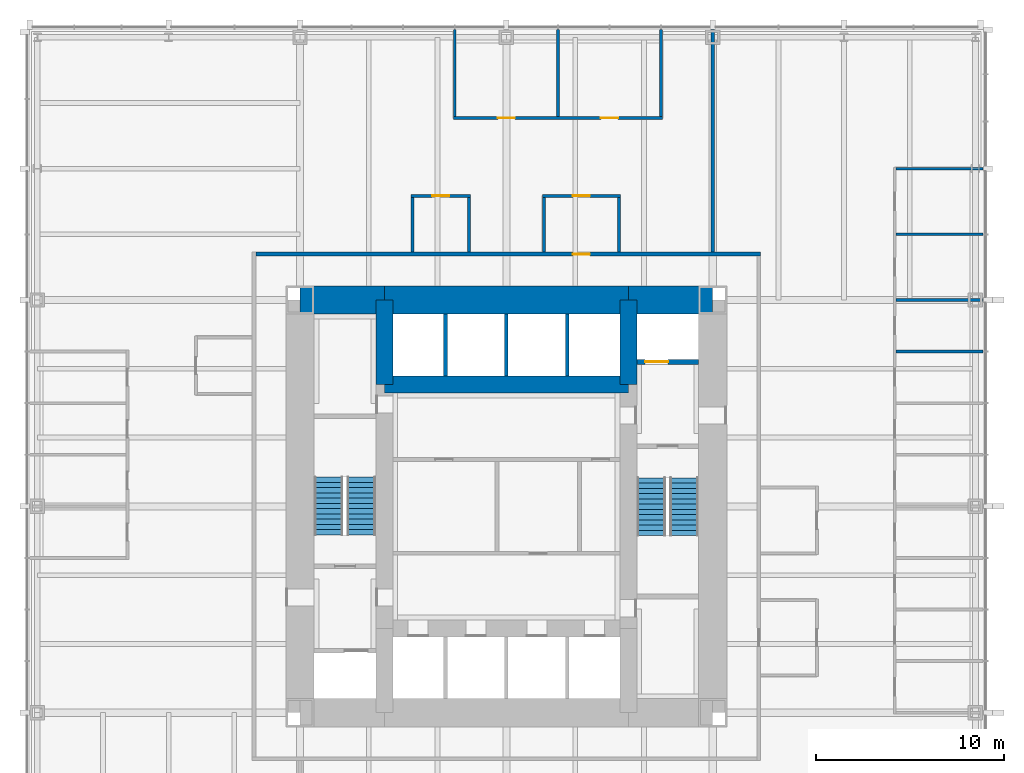
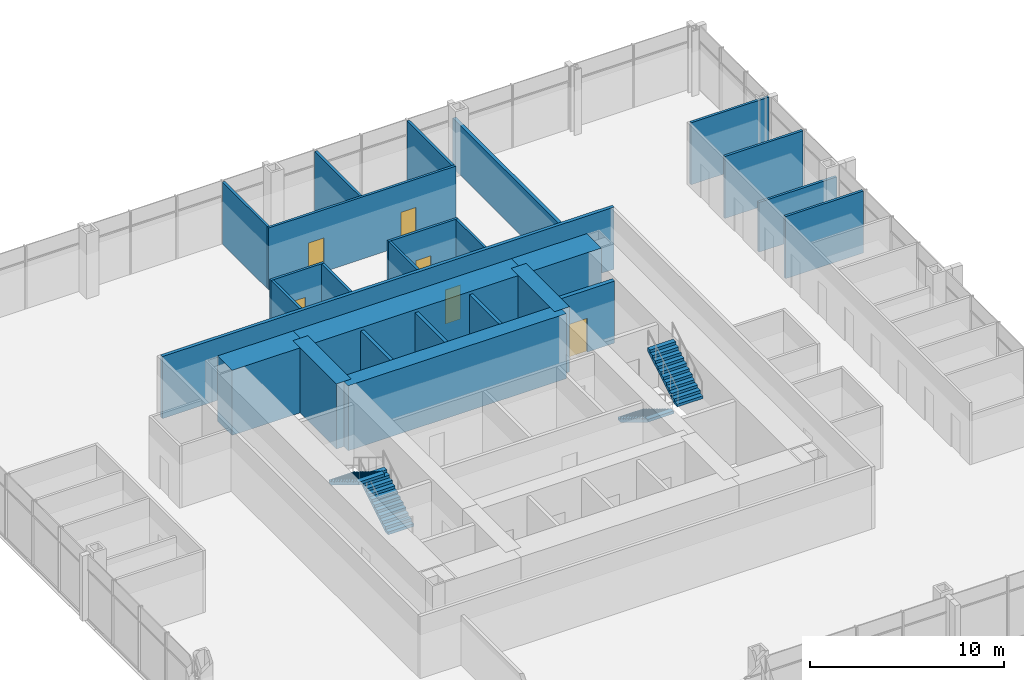
# One storey, part 11 of 12: 26 walls, 6 doors, 4 stair flights, 6 openings, 2 elements without a shape of their own.
"""IFC4 building model written with IfcOpenShell, lengths in metres."""

from ifc_helpers import new_model, si_unit, direction, frame, frame_2d, origin, place, context, subcontext, project, spatial, polyline, rectangle, outline, extrude, material, layer, layer_set, type_object, element, fill, aggregate, save


model = new_model("IFC4")

# Units and contexts
model_context = context("Model", 3, precision=1e-05, world=origin(), true_north=direction((0.0, 1.0)))
body_context = subcontext(model_context, "Body", "Model", "MODEL_VIEW")
ifc_project = project(units=[si_unit("LENGTHUNIT", "METRE"), si_unit("AREAUNIT", "SQUARE_METRE"), si_unit("VOLUMEUNIT", "CUBIC_METRE"), si_unit("PLANEANGLEUNIT", "RADIAN"), si_unit("MASSUNIT", "GRAM", prefix="KILO")], contexts=[model_context])

# Site, building, storey
site_placement = place(None, origin())
site = spatial("IfcSite", under=ifc_project, at=site_placement, CompositionType="ELEMENT")
building_placement = place(site_placement, origin())
building = spatial("IfcBuilding", under=site, at=building_placement, Name="Trevanion Tower", CompositionType="ELEMENT")
storey_placement = place(building_placement, frame((0.0, 0.0, 48.800048828125)))
storey = spatial("IfcBuildingStorey", under=building, at=storey_placement, Name="L11", CompositionType="ELEMENT", Elevation=48.800048828125)

# Walls
ifc_material_1 = material(Name="Concrete 10,000 psi", Category="concrete")
ifc_layer_1 = layer(ifc_material_1, 1.5)
ifc_layer_set_1 = layer_set([ifc_layer_1], Name="CW1 core wall 1500")
wall_type_1 = type_object("IfcWallType", Name="CW1 core wall 1500", PredefinedType="SHEAR", material=ifc_layer_set_1)
wall_1_placement = place(storey_placement, frame((11.0, 11.0, 0.0), z_axis=(0.0, 0.0, 1.0), x_axis=(-1.0, 0.0, 0.0)))
element("IfcWall", 1, at=wall_1_placement, inside=storey, type_object=wall_type_1, Name="CW1 CN1 L11", PredefinedType="SHEAR", context=body_context, shape_type="SweptSolid", body=[
    extrude(rectangle(XDim=4.5, YDim=1.5, at=frame_2d((2.25, 0.0))), origin(), (0.0, 0.0, 1.0), 4.099853515625),
])
wall_2_placement = place(storey_placement, frame((6.5, 11.0, 0.0), z_axis=(0.0, 0.0, 1.0), x_axis=(-1.0, 0.0, 0.0)))
element("IfcWall", 2, at=wall_2_placement, inside=storey, type_object=wall_type_1, Name="CW1 CN2 L11", PredefinedType="SHEAR", context=body_context, shape_type="SweptSolid", body=[
    extrude(rectangle(XDim=13.0, YDim=1.5, at=frame_2d((6.5, 0.0))), origin(), (0.0, 0.0, 1.0), 4.099853515625),
])
wall_3_placement = place(storey_placement, frame((-6.5, 11.0, 0.0), z_axis=(0.0, 0.0, 1.0), x_axis=(-1.0, 0.0, 0.0)))
element("IfcWall", 3, at=wall_3_placement, inside=storey, type_object=wall_type_1, Name="CW1 CN3 L11", PredefinedType="SHEAR", context=body_context, shape_type="SweptSolid", body=[
    extrude(rectangle(XDim=4.5, YDim=1.5, at=frame_2d((2.25, 0.0))), origin(), (0.0, 0.0, 1.0), 4.099853515625),
])
ifc_material_2 = material(Name="Concrete 10,000 psi", Category="concrete")
ifc_layer_2 = layer(ifc_material_2, 0.89990234375)
ifc_layer_set_2 = layer_set([ifc_layer_2], Name="CW2 core wall 900")
wall_type_2 = type_object("IfcWallType", Name="CW2 core wall 900", PredefinedType="SHEAR", material=ifc_layer_set_2)
for number, where, z_axis, x_axis, name in (
    (4, (6.5, 6.5, 0.0), (0.0, 0.0, 1.0), (0.0, 1.0, 0.0), "CW2 RE3 L11"),
    (5, (-6.5, 11.0, 0.0), (0.0, 0.0, 1.0), (0.0, -1.0, 0.0), "CW2 RW1 L11"),
):
    element("IfcWall", number, at=place(storey_placement, frame(where, z_axis=z_axis, x_axis=x_axis)), inside=storey, type_object=wall_type_2, Name=name, PredefinedType="SHEAR", context=body_context, shape_type="SweptSolid", body=[
        extrude(rectangle(XDim=4.5, YDim=0.89990234375, at=frame_2d((2.25, 0.0))), origin(), (0.0, 0.0, 1.0), 4.099853515625),
    ])
wall_4_placement = place(storey_placement, frame((6.5, 6.5, 0.0), z_axis=(0.0, 0.0, 1.0), x_axis=(-1.0, 0.0, 0.0)))
element("IfcWall", 6, at=wall_4_placement, inside=storey, type_object=wall_type_2, Name="CW2 RN L11", PredefinedType="SHEAR", context=body_context, shape_type="SweptSolid", body=[
    extrude(rectangle(XDim=13.0, YDim=0.89990234375, at=frame_2d((6.5, 0.0))), origin(), (0.0, 0.0, 1.0), 4.099853515625),
])
ifc_material_3 = material(Name="Gypsum board on steel studs", Category="steel")
ifc_layer_3 = layer(ifc_material_3, 0.14990234375)
ifc_layer_set_3 = layer_set([ifc_layer_3], Name="PT1 partition 150")
wall_type_3 = type_object("IfcWallType", Name="PT1 partition 150", PredefinedType="PARTITIONING", material=ifc_layer_set_3)
wall_5_placement = place(storey_placement, frame((20.77490234375, 8.25, 0.0), z_axis=(0.0, 0.0, 1.0), x_axis=(1.0, 0.0, 0.0)))
element("IfcWall", 7, at=wall_5_placement, inside=storey, type_object=wall_type_3, Name="PT1 L11 FC0S7", PredefinedType="PARTITIONING", context=body_context, shape_type="SweptSolid", body=[
    extrude(rectangle(XDim=4.64013671875, YDim=0.14990234375, at=frame_2d((2.320068359375, 0.0))), origin(), (0.0, 0.0, 1.0), 3.909912109375),
])
wall_6_placement = place(storey_placement, frame((20.77490234375, 11.0, 0.0), z_axis=(0.0, 0.0, 1.0), x_axis=(1.0, 0.0, 0.0)))
element("IfcWall", 8, at=wall_6_placement, inside=storey, type_object=wall_type_3, Name="PT1 L11 FC0S8", PredefinedType="PARTITIONING", context=body_context, shape_type="SweptSolid", body=[
    extrude(rectangle(XDim=4.64013671875, YDim=0.14990234375, at=frame_2d((2.320068359375, 0.0))), origin(), (0.0, 0.0, 1.0), 3.130126953125),
])
for number, where, z_axis, x_axis, name in (
    (9, (20.77490234375, 14.5, 0.0), (0.0, 0.0, 1.0), (1.0, 0.0, 0.0), "PT1 L11 FC0S9"),
    (10, (20.77490234375, 18.0, 0.0), (0.0, 0.0, 1.0), (1.0, 0.0, 0.0), "PT1 L11 FC0S10"),
):
    element("IfcWall", number, at=place(storey_placement, frame(where, z_axis=z_axis, x_axis=x_axis)), inside=storey, type_object=wall_type_3, Name=name, PredefinedType="PARTITIONING", context=body_context, shape_type="SweptSolid", body=[
        extrude(rectangle(XDim=4.64013671875, YDim=0.14990234375, at=frame_2d((2.320068359375, 0.0))), origin(), (0.0, 0.0, 1.0), 3.909912109375),
    ])

# Wall, openings, doors
wall_7_placement = place(storey_placement, frame((8.324951171875, 20.699951171875, 0.0), z_axis=(0.0, 0.0, 1.0), x_axis=(-1.0, 0.0, 0.0)))
wall_7 = element("IfcWall", 11, at=wall_7_placement, inside=storey, type_object=wall_type_3, Name="PT1 L11 FC1F", PredefinedType="PARTITIONING", context=body_context, shape_type="SweptSolid", body=[
    extrude(rectangle(XDim=11.14990234375, YDim=0.14990234375, at=frame_2d((5.574951171875, 0.0))), origin(), (0.0, 0.0, 1.0), 3.909912109375),
])
opening_1_placement = place(wall_7_placement, frame((2.367431640625, 0.0, 0.0)))
opening_1 = element("IfcOpeningElement", 12, at=opening_1_placement, cuts=wall_7, Name="Opening 11-032", PredefinedType="OPENING", context=body_context, shape_type="SweptSolid", body=[
    extrude(rectangle(XDim=0.9150390625, YDim=2.134033203125, at=frame_2d((0.45751953125, 1.06689453125))), frame((0.0, 0.0849609375, 0.0), z_axis=(0.0, -1.0, 0.0), x_axis=(1.0, 0.0, 0.0)), (0.0, 0.0, 1.0), 0.169921875),
])
opening_2_placement = place(wall_7_placement, frame((7.867431640625, 0.0, 0.0)))
opening_2 = element("IfcOpeningElement", 13, at=opening_2_placement, cuts=wall_7, Name="Opening 11-033", PredefinedType="OPENING", context=body_context, shape_type="SweptSolid", body=[
    extrude(rectangle(XDim=0.9150390625, YDim=2.134033203125, at=frame_2d((0.45751953125, 1.06689453125))), frame((0.0, 0.0849609375, 0.0), z_axis=(0.0, -1.0, 0.0), x_axis=(1.0, 0.0, 0.0)), (0.0, 0.0, 1.0), 0.169921875),
])
ifc_material_4 = material(Name="Timber veneer, solid core", Category="wood")
door_type_1 = type_object("IfcDoorType", Name="D1 office and meeting room door", OperationType="SINGLE_SWING_LEFT", PredefinedType="DOOR", material=ifc_material_4)
door_1_placement = place(opening_1_placement, origin())
door_1 = element("IfcDoor", 14, at=door_1_placement, inside=storey, type_object=door_type_1, Name="Door 11-032", OperationType="SINGLE_SWING_LEFT", OverallHeight=2.134033203125, OverallWidth=0.9150390625, PredefinedType="DOOR", context=body_context, shape_type="SweptSolid", body=[
    extrude(rectangle(XDim=0.9150390625, YDim=2.134033203125, at=frame_2d((0.45751953125, 1.06689453125))), frame((0.0, 0.02490234375, 0.0), z_axis=(0.0, -1.0, 0.0), x_axis=(1.0, 0.0, 0.0)), (0.0, 0.0, 1.0), 0.050048828125),
])
fill(opening_1, door_1)
door_2_placement = place(opening_2_placement, origin())
door_2 = element("IfcDoor", 15, at=door_2_placement, inside=storey, type_object=door_type_1, Name="Door 11-033", OperationType="SINGLE_SWING_LEFT", OverallHeight=2.134033203125, OverallWidth=0.9150390625, PredefinedType="DOOR", context=body_context, shape_type="SweptSolid", body=[
    extrude(rectangle(XDim=0.9150390625, YDim=2.134033203125, at=frame_2d((0.45751953125, 1.06689453125))), frame((0.0, 0.02490234375, 0.0), z_axis=(0.0, -1.0, 0.0), x_axis=(1.0, 0.0, 0.0)), (0.0, 0.0, 1.0), 0.050048828125),
])
fill(opening_2, door_2)

# Walls
for number, where, z_axis, x_axis, name in (
    (16, (8.25, 20.77490234375, 0.0), (0.0, 0.0, 1.0), (0.0, 1.0, 0.0), "PT1 L11 FC1S0"),
    (17, (2.75, 20.77490234375, 0.0), (0.0, 0.0, 1.0), (0.0, 1.0, 0.0), "PT1 L11 FC1S2"),
    (18, (-2.75, 20.77490234375, 0.0), (0.0, 0.0, 1.0), (0.0, 1.0, 0.0), "PT1 L11 FC1S4"),
):
    element("IfcWall", number, at=place(storey_placement, frame(where, z_axis=z_axis, x_axis=x_axis)), inside=storey, type_object=wall_type_3, Name=name, PredefinedType="PARTITIONING", context=body_context, shape_type="SweptSolid", body=[
        extrude(rectangle(XDim=4.64013671875, YDim=0.14990234375, at=frame_2d((2.320068359375, 0.0))), origin(), (0.0, 0.0, 1.0), 3.909912109375),
    ])

# Wall, opening, door
wall_8_placement = place(storey_placement, frame((6.074951171875, 16.550048828125, 0.0), z_axis=(0.0, 0.0, 1.0), x_axis=(-1.0, 0.0, 0.0)))
wall_8 = element("IfcWall", 19, at=wall_8_placement, inside=storey, type_object=wall_type_3, Name="PT1 L11 IN10F", PredefinedType="PARTITIONING", context=body_context, shape_type="SweptSolid", body=[
    extrude(rectangle(XDim=4.14990234375, YDim=0.14990234375, at=frame_2d((2.074951171875, 0.0))), origin(), (0.0, 0.0, 1.0), 3.909912109375),
])
opening_3_placement = place(wall_8_placement, frame((1.617431640625, 0.0, 0.0)))
opening_3 = element("IfcOpeningElement", 20, at=opening_3_placement, cuts=wall_8, Name="Opening 11-037", PredefinedType="OPENING", context=body_context, shape_type="SweptSolid", body=[
    extrude(rectangle(XDim=0.9150390625, YDim=2.134033203125, at=frame_2d((0.45751953125, 1.06689453125))), frame((0.0, 0.0849609375, 0.0), z_axis=(0.0, -1.0, 0.0), x_axis=(1.0, 0.0, 0.0)), (0.0, 0.0, 1.0), 0.169921875),
])
door_3_placement = place(opening_3_placement, origin())
door_3 = element("IfcDoor", 21, at=door_3_placement, inside=storey, type_object=door_type_1, Name="Door 11-037", OperationType="SINGLE_SWING_LEFT", OverallHeight=2.134033203125, OverallWidth=0.9150390625, PredefinedType="DOOR", context=body_context, shape_type="SweptSolid", body=[
    extrude(rectangle(XDim=0.9150390625, YDim=2.134033203125, at=frame_2d((0.45751953125, 1.06689453125))), frame((0.0, 0.02490234375, 0.0), z_axis=(0.0, -1.0, 0.0), x_axis=(1.0, 0.0, 0.0)), (0.0, 0.0, 1.0), 0.050048828125),
])
fill(opening_3, door_3)

# Walls
for number, where, z_axis, x_axis, name in (
    (22, (6.0, 16.47509765625, 0.0), (0.0, 0.0, 1.0), (0.0, -1.0, 0.0), "PT1 L11 IN10S0"),
    (23, (2.0, 16.47509765625, 0.0), (0.0, 0.0, 1.0), (0.0, -1.0, 0.0), "PT1 L11 IN10S1"),
):
    element("IfcWall", number, at=place(storey_placement, frame(where, z_axis=z_axis, x_axis=x_axis)), inside=storey, type_object=wall_type_3, Name=name, PredefinedType="PARTITIONING", context=body_context, shape_type="SweptSolid", body=[
        extrude(rectangle(XDim=2.925048828125, YDim=0.14990234375, at=frame_2d((1.46240234375, 0.0))), origin(), (0.0, 0.0, 1.0), 3.909912109375),
    ])

# Wall, opening, door
wall_9_placement = place(storey_placement, frame((-1.925048828125, 16.550048828125, 0.0), z_axis=(0.0, 0.0, 1.0), x_axis=(-1.0, 0.0, 0.0)))
wall_9 = element("IfcWall", 24, at=wall_9_placement, inside=storey, type_object=wall_type_3, Name="PT1 L11 IN11F", PredefinedType="PARTITIONING", context=body_context, shape_type="SweptSolid", body=[
    extrude(rectangle(XDim=3.14990234375, YDim=0.14990234375, at=frame_2d((1.574951171875, 0.0))), origin(), (0.0, 0.0, 1.0), 3.909912109375),
])
opening_4_placement = place(wall_9_placement, frame((1.117431640625, 0.0, 0.0)))
opening_4 = element("IfcOpeningElement", 25, at=opening_4_placement, cuts=wall_9, Name="Opening 11-039", PredefinedType="OPENING", context=body_context, shape_type="SweptSolid", body=[
    extrude(rectangle(XDim=0.9150390625, YDim=2.134033203125, at=frame_2d((0.45751953125, 1.06689453125))), frame((0.0, 0.0849609375, 0.0), z_axis=(0.0, -1.0, 0.0), x_axis=(1.0, 0.0, 0.0)), (0.0, 0.0, 1.0), 0.169921875),
])
door_4_placement = place(opening_4_placement, origin())
door_4 = element("IfcDoor", 26, at=door_4_placement, inside=storey, type_object=door_type_1, Name="Door 11-039", OperationType="SINGLE_SWING_LEFT", OverallHeight=2.134033203125, OverallWidth=0.9150390625, PredefinedType="DOOR", context=body_context, shape_type="SweptSolid", body=[
    extrude(rectangle(XDim=0.9150390625, YDim=2.134033203125, at=frame_2d((0.45751953125, 1.06689453125))), frame((0.0, 0.02490234375, 0.0), z_axis=(0.0, -1.0, 0.0), x_axis=(1.0, 0.0, 0.0)), (0.0, 0.0, 1.0), 0.050048828125),
])
fill(opening_4, door_4)

# Walls
for number, where, z_axis, x_axis, name in (
    (27, (-2.0, 16.47509765625, 0.0), (0.0, 0.0, 1.0), (0.0, -1.0, 0.0), "PT1 L11 IN11S0"),
    (28, (-5.0, 16.47509765625, 0.0), (0.0, 0.0, 1.0), (0.0, -1.0, 0.0), "PT1 L11 IN11S1"),
):
    element("IfcWall", number, at=place(storey_placement, frame(where, z_axis=z_axis, x_axis=x_axis)), inside=storey, type_object=wall_type_3, Name=name, PredefinedType="PARTITIONING", context=body_context, shape_type="SweptSolid", body=[
        extrude(rectangle(XDim=2.925048828125, YDim=0.14990234375, at=frame_2d((1.46240234375, 0.0))), origin(), (0.0, 0.0, 1.0), 3.909912109375),
    ])

# Wall, opening, door
ifc_material_5 = material(Name="Concrete masonry, grouted", Category="masonry")
ifc_layer_4 = layer(ifc_material_5, 0.199951171875)
ifc_layer_set_4 = layer_set([ifc_layer_4], Name="PT2 partition 200 1 HR")
wall_type_4 = type_object("IfcWallType", Name="PT2 partition 200 1 HR", PredefinedType="PARTITIONING", material=ifc_layer_set_4)
wall_10_placement = place(storey_placement, frame((13.550048828125, 13.449951171875, 0.0), z_axis=(0.0, 0.0, 1.0), x_axis=(-1.0, 0.0, 0.0)))
wall_10 = element("IfcWall", 29, at=wall_10_placement, inside=storey, type_object=wall_type_4, Name="PT2 L11 OC1", PredefinedType="PARTITIONING", context=body_context, shape_type="SweptSolid", body=[
    extrude(rectangle(XDim=26.900146484375, YDim=0.199951171875, at=frame_2d((13.4501953125, 0.0))), origin(), (0.0, 0.0, 1.0), 3.909912109375),
])
opening_5_placement = place(wall_10_placement, frame((9.092529296875, 0.0, 0.0)))
opening_5 = element("IfcOpeningElement", 30, at=opening_5_placement, cuts=wall_10, Name="Opening 11-038", PredefinedType="OPENING", context=body_context, shape_type="SweptSolid", body=[
    extrude(rectangle(XDim=0.9150390625, YDim=2.134033203125, at=frame_2d((0.45751953125, 1.06689453125))), frame((0.0, 0.10986328125, 0.0), z_axis=(0.0, -1.0, 0.0), x_axis=(1.0, 0.0, 0.0)), (0.0, 0.0, 1.0), 0.219970703125),
])
ifc_material_6 = material(Name="Timber veneer, fire rated", Category="wood")
door_type_2 = type_object("IfcDoorType", Name="D10 office door in a one hour wall", OperationType="SINGLE_SWING_LEFT", PredefinedType="DOOR", material=ifc_material_6)
door_5_placement = place(opening_5_placement, origin())
door_5 = element("IfcDoor", 31, at=door_5_placement, inside=storey, type_object=door_type_2, Name="Door 11-038", OperationType="SINGLE_SWING_LEFT", OverallHeight=2.134033203125, OverallWidth=0.9150390625, PredefinedType="DOOR", context=body_context, shape_type="SweptSolid", body=[
    extrude(rectangle(XDim=0.9150390625, YDim=2.134033203125, at=frame_2d((0.45751953125, 1.06689453125))), frame((0.0, 0.02490234375, 0.0), z_axis=(0.0, -1.0, 0.0), x_axis=(1.0, 0.0, 0.0)), (0.0, 0.0, 1.0), 0.050048828125),
])
fill(opening_5, door_5)

# Walls
wall_11_placement = place(storey_placement, frame((11.0, 13.550048828125, 0.0), z_axis=(0.0, 0.0, 1.0), x_axis=(0.0, 1.0, 0.0)))
element("IfcWall", 32, at=wall_11_placement, inside=storey, type_object=wall_type_4, Name="PT2 L11 DM0", PredefinedType="PARTITIONING", context=body_context, shape_type="SweptSolid", body=[
    extrude(rectangle(XDim=11.864990234375, YDim=0.199951171875, at=frame_2d((5.9326171875, 0.0))), origin(), (0.0, 0.0, 1.0), 3.130126953125),
])
ifc_material_7 = material(Name="Concrete masonry, grouted", Category="masonry")
ifc_layer_5 = layer(ifc_material_7, 0.199951171875)
ifc_layer_set_5 = layer_set([ifc_layer_5], Name="PT2 partition 200 2 HR")
wall_type_5 = type_object("IfcWallType", Name="PT2 partition 200 2 HR", PredefinedType="PARTITIONING", material=ifc_layer_set_5)
for number, where, z_axis, x_axis, name in (
    (33, (-3.25, 6.949951171875, 0.0), (0.0, 0.0, 1.0), (0.0, 1.0, 0.0), "PT2 L11 NS0"),
    (34, (0.0, 6.949951171875, 0.0), (0.0, 0.0, 1.0), (0.0, 1.0, 0.0), "PT2 L11 NS1"),
    (35, (3.25, 6.949951171875, 0.0), (0.0, 0.0, 1.0), (0.0, 1.0, 0.0), "PT2 L11 NS2"),
):
    element("IfcWall", number, at=place(storey_placement, frame(where, z_axis=z_axis, x_axis=x_axis)), inside=storey, type_object=wall_type_5, Name=name, PredefinedType="PARTITIONING", context=body_context, shape_type="SweptSolid", body=[
        extrude(rectangle(XDim=3.300048828125, YDim=0.199951171875, at=frame_2d((1.64990234375, 0.0))), origin(), (0.0, 0.0, 1.0), 3.909912109375),
    ])

# Wall, opening, door
ifc_material_8 = material(Name="Concrete masonry, grouted, two-hour", Category="masonry")
ifc_layer_6 = layer(ifc_material_8, 0.25)
ifc_layer_set_6 = layer_set([ifc_layer_6], Name="PT3 partition 250 2 HR")
wall_type_6 = type_object("IfcWallType", Name="PT3 partition 250 2 HR", PredefinedType="PARTITIONING", material=ifc_layer_set_6)
wall_12_placement = place(storey_placement, frame((6.949951171875, 7.699951171875, 0.0), z_axis=(0.0, 0.0, 1.0), x_axis=(1.0, 0.0, 0.0)))
wall_12 = element("IfcWall", 36, at=wall_12_placement, inside=storey, type_object=wall_type_6, Name="PT3 L11 EP3", PredefinedType="PARTITIONING", context=body_context, shape_type="SweptSolid", body=[
    extrude(rectangle(XDim=3.300048828125, YDim=0.25, at=frame_2d((1.64990234375, 0.0))), origin(), (0.0, 0.0, 1.0), 3.909912109375),
])
opening_6_placement = place(wall_12_placement, frame((0.449951171875, 0.0, 0.0)))
opening_6 = element("IfcOpeningElement", 37, at=opening_6_placement, cuts=wall_12, Name="Opening 11-007", PredefinedType="OPENING", context=body_context, shape_type="SweptSolid", body=[
    extrude(rectangle(XDim=1.218994140625, YDim=2.134033203125, at=frame_2d((0.609375, 1.06689453125))), frame((0.0, 0.135009765625, 0.0), z_axis=(0.0, -1.0, 0.0), x_axis=(1.0, 0.0, 0.0)), (0.0, 0.0, 1.0), 0.27001953125),
])
ifc_material_9 = material(Name="Stainless steel, fire rated", Category="steel")
door_type_3 = type_object("IfcDoorType", Name="LD2 fire service lift landing door", OperationType="SLIDING_TO_LEFT", PredefinedType="DOOR", material=ifc_material_9)
door_6_placement = place(opening_6_placement, origin())
door_6 = element("IfcDoor", 38, at=door_6_placement, inside=storey, type_object=door_type_3, Name="Door 11-007", OperationType="SLIDING_TO_LEFT", OverallHeight=2.134033203125, OverallWidth=1.218994140625, PredefinedType="DOOR", context=body_context, shape_type="SweptSolid", body=[
    extrude(rectangle(XDim=1.218994140625, YDim=2.134033203125, at=frame_2d((0.609375, 1.06689453125))), frame((0.0, 0.02490234375, 0.0), z_axis=(0.0, -1.0, 0.0), x_axis=(1.0, 0.0, 0.0)), (0.0, 0.0, 1.0), 0.050048828125),
])
fill(opening_6, door_6)

# Stair, stair flights
ifc_material_10 = material(Name="Concrete 5,000 psi on steel stringers", Category="concrete")
stair_type = type_object("IfcStairType", Name="ST stair", PredefinedType="HALF_TURN_STAIR", material=ifc_material_10)
stair_1_placement = place(storey_placement, origin())
stair_1 = element("IfcStair", 39, at=stair_1_placement, inside=storey, type_object=stair_type, Name="ST1 L11", PredefinedType="HALF_TURN_STAIR")
ifc_material_11 = material(Name="Concrete 5,000 psi in steel pan", Category="concrete")
stair_flight_type = type_object("IfcStairFlightType", Name="STF stair flight", PredefinedType="STRAIGHT", material=ifc_material_11)
stair_flight_1_placement = place(storey_placement, frame((7.72509765625, 1.52490234375, 0.0), z_axis=(0.0, 0.0, 1.0), x_axis=(0.0, -1.0, 0.0)))
stair_flight_1 = element("IfcStairFlight", 40, at=stair_flight_1_placement, type_object=stair_flight_type, Name="ST1 flight 1", NumberOfRisers=12, NumberOfTreads=11, PredefinedType="STRAIGHT", RiserHeight=0.170833333, TreadLength=0.28, context=body_context, shape_type="SweptSolid", body=[
    extrude(outline(polyline([(0.0, 0.0), (0.0, 0.1708984375), (0.280029296875, 0.1708984375), (0.280029296875, 0.341552734375), (0.56005859375, 0.341552734375), (0.56005859375, 0.512451171875), (0.840087890625, 0.512451171875), (0.840087890625, 0.683349609375), (1.1201171875, 0.683349609375), (1.1201171875, 0.854248046875), (1.39990234375, 0.854248046875), (1.39990234375, 1.02490234375), (1.679931640625, 1.02490234375), (1.679931640625, 1.19580078125), (1.9599609375, 1.19580078125), (1.9599609375, 1.36669921875), (2.239990234375, 1.36669921875), (2.239990234375, 1.53759765625), (2.52001953125, 1.53759765625), (2.52001953125, 1.708251953125), (2.800048828125, 1.708251953125), (2.800048828125, 1.879150390625), (3.080078125, 1.879150390625), (3.080078125, 2.050048828125), (3.080078125, 1.70361328125), (0.287841796875, 0.0), (0.0, 0.0)])), frame((0.0, 0.77490234375, 0.0), z_axis=(0.0, -1.0, 0.0), x_axis=(1.0, 0.0, 0.0)), (0.0, 0.0, 1.0), 1.550048828125),
])
stair_flight_2_placement = place(storey_placement, frame((9.47509765625, -1.554931640625, 2.050048828125), z_axis=(0.0, 0.0, 1.0), x_axis=(0.0, 1.0, 0.0)))
stair_flight_2 = element("IfcStairFlight", 41, at=stair_flight_2_placement, type_object=stair_flight_type, Name="ST1 flight 2", NumberOfRisers=12, NumberOfTreads=11, PredefinedType="STRAIGHT", RiserHeight=0.170833333, TreadLength=0.28, context=body_context, shape_type="SweptSolid", body=[
    extrude(outline(polyline([(0.0, 0.0), (0.0, 0.1708984375), (0.280029296875, 0.1708984375), (0.280029296875, 0.341552734375), (0.56005859375, 0.341552734375), (0.56005859375, 0.512451171875), (0.840087890625, 0.512451171875), (0.840087890625, 0.683349609375), (1.1201171875, 0.683349609375), (1.1201171875, 0.854248046875), (1.39990234375, 0.854248046875), (1.39990234375, 1.02490234375), (1.679931640625, 1.02490234375), (1.679931640625, 1.19580078125), (1.9599609375, 1.19580078125), (1.9599609375, 1.36669921875), (2.239990234375, 1.36669921875), (2.239990234375, 1.53759765625), (2.52001953125, 1.53759765625), (2.52001953125, 1.708251953125), (2.800048828125, 1.708251953125), (2.800048828125, 1.879150390625), (3.080078125, 1.879150390625), (3.080078125, 2.050048828125), (3.080078125, 1.70361328125), (0.287841796875, 0.0), (0.0, 0.0)])), frame((0.0, 0.77490234375, 0.0), z_axis=(0.0, -1.0, 0.0), x_axis=(1.0, 0.0, 0.0)), (0.0, 0.0, 1.0), 1.550048828125),
])
aggregate(stair_1, [stair_flight_1, stair_flight_2])

stair_2_placement = place(storey_placement, origin())
stair_2 = element("IfcStair", 42, at=stair_2_placement, inside=storey, type_object=stair_type, Name="ST2 L11", PredefinedType="HALF_TURN_STAIR")
stair_flight_3_placement = place(storey_placement, frame((-7.72509765625, -1.52490234375, 0.0), z_axis=(0.0, 0.0, 1.0), x_axis=(0.0, 1.0, 0.0)))
stair_flight_3 = element("IfcStairFlight", 43, at=stair_flight_3_placement, type_object=stair_flight_type, Name="ST2 flight 1", NumberOfRisers=12, NumberOfTreads=11, PredefinedType="STRAIGHT", RiserHeight=0.170833333, TreadLength=0.28, context=body_context, shape_type="SweptSolid", body=[
    extrude(outline(polyline([(0.0, 0.0), (0.0, 0.1708984375), (0.280029296875, 0.1708984375), (0.280029296875, 0.341552734375), (0.56005859375, 0.341552734375), (0.56005859375, 0.512451171875), (0.840087890625, 0.512451171875), (0.840087890625, 0.683349609375), (1.1201171875, 0.683349609375), (1.1201171875, 0.854248046875), (1.39990234375, 0.854248046875), (1.39990234375, 1.02490234375), (1.679931640625, 1.02490234375), (1.679931640625, 1.19580078125), (1.9599609375, 1.19580078125), (1.9599609375, 1.36669921875), (2.239990234375, 1.36669921875), (2.239990234375, 1.53759765625), (2.52001953125, 1.53759765625), (2.52001953125, 1.708251953125), (2.800048828125, 1.708251953125), (2.800048828125, 1.879150390625), (3.080078125, 1.879150390625), (3.080078125, 2.050048828125), (3.080078125, 1.70361328125), (0.287841796875, 0.0), (0.0, 0.0)])), frame((0.0, 0.77490234375, 0.0), z_axis=(0.0, -1.0, 0.0), x_axis=(1.0, 0.0, 0.0)), (0.0, 0.0, 1.0), 1.550048828125),
])
stair_flight_4_placement = place(storey_placement, frame((-9.47509765625, 1.554931640625, 2.050048828125), z_axis=(0.0, 0.0, 1.0), x_axis=(0.0, -1.0, 0.0)))
stair_flight_4 = element("IfcStairFlight", 44, at=stair_flight_4_placement, type_object=stair_flight_type, Name="ST2 flight 2", NumberOfRisers=12, NumberOfTreads=11, PredefinedType="STRAIGHT", RiserHeight=0.170833333, TreadLength=0.28, context=body_context, shape_type="SweptSolid", body=[
    extrude(outline(polyline([(0.0, 0.0), (0.0, 0.1708984375), (0.280029296875, 0.1708984375), (0.280029296875, 0.341552734375), (0.56005859375, 0.341552734375), (0.56005859375, 0.512451171875), (0.840087890625, 0.512451171875), (0.840087890625, 0.683349609375), (1.1201171875, 0.683349609375), (1.1201171875, 0.854248046875), (1.39990234375, 0.854248046875), (1.39990234375, 1.02490234375), (1.679931640625, 1.02490234375), (1.679931640625, 1.19580078125), (1.9599609375, 1.19580078125), (1.9599609375, 1.36669921875), (2.239990234375, 1.36669921875), (2.239990234375, 1.53759765625), (2.52001953125, 1.53759765625), (2.52001953125, 1.708251953125), (2.800048828125, 1.708251953125), (2.800048828125, 1.879150390625), (3.080078125, 1.879150390625), (3.080078125, 2.050048828125), (3.080078125, 1.70361328125), (0.287841796875, 0.0), (0.0, 0.0)])), frame((0.0, 0.77490234375, 0.0), z_axis=(0.0, -1.0, 0.0), x_axis=(1.0, 0.0, 0.0)), (0.0, 0.0, 1.0), 1.550048828125),
])
aggregate(stair_2, [stair_flight_3, stair_flight_4])

save(model, "model.ifc")
